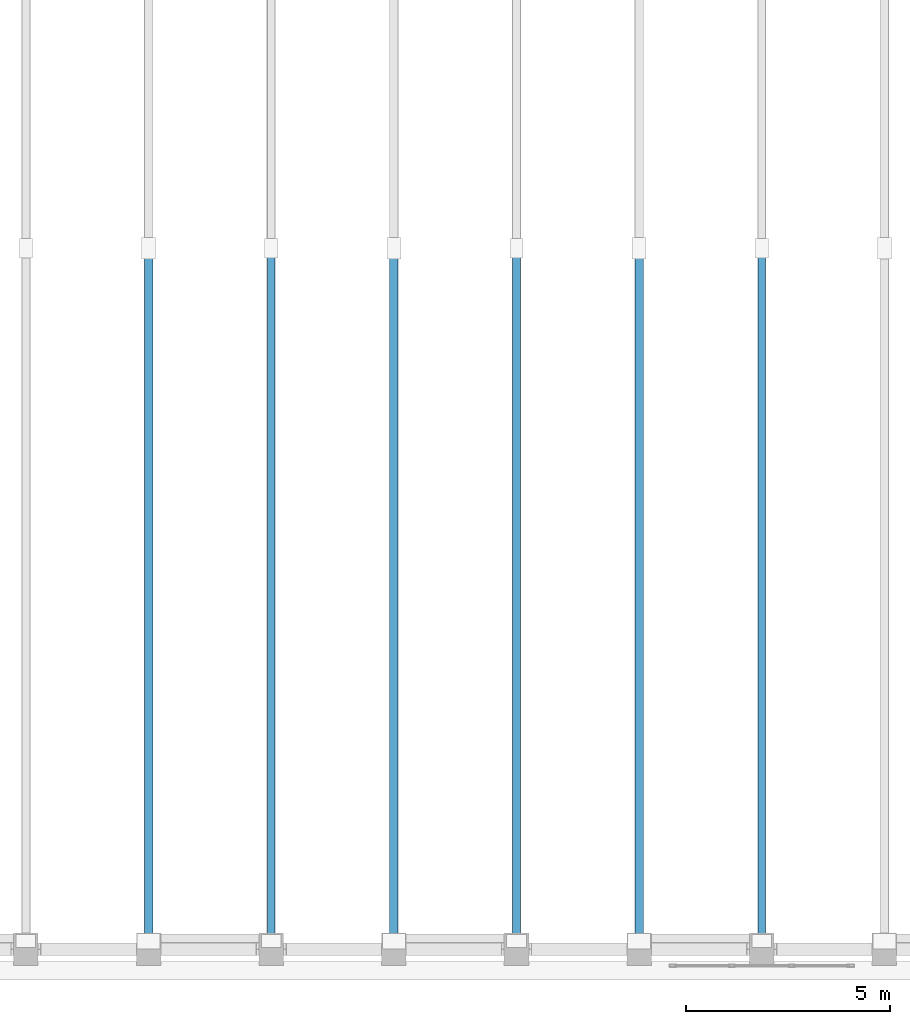
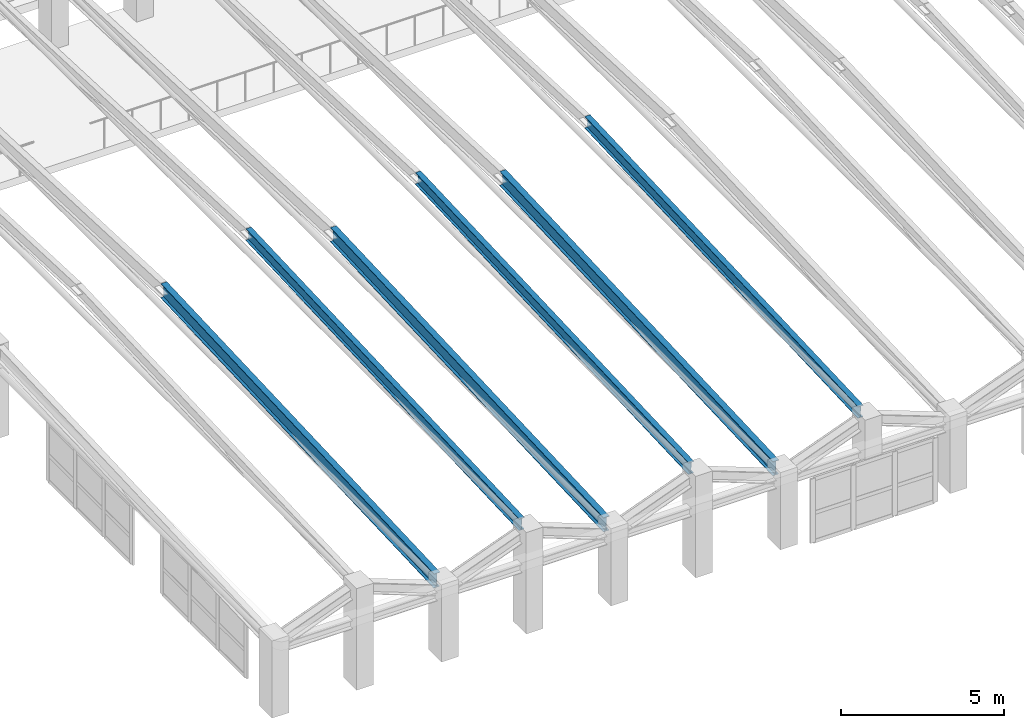
# One storey, part 24 of 128: 6 beams.
"""IFC4 building model written with IfcOpenShell, lengths in metres."""

from ifc_helpers import new_model, si_unit, direction, frame, origin, origin_2d, place, context, subcontext, project, spatial, i_section, extrude, material, material_profile, profile_set, type_object, element, save


model = new_model("IFC4")

# Units and contexts
model_context = context("Model", 3, precision=1e-05, world=origin(), true_north=direction((0.0, 1.0)))
body_context = subcontext(model_context, "Body", "Model", "MODEL_VIEW")
ifc_project = project(units=[si_unit("LENGTHUNIT", "METRE"), si_unit("AREAUNIT", "SQUARE_METRE"), si_unit("VOLUMEUNIT", "CUBIC_METRE"), si_unit("PLANEANGLEUNIT", "RADIAN"), si_unit("MASSUNIT", "GRAM", prefix="KILO")], contexts=[model_context])

# Site, building, storey
site_placement = place(None, origin())
site = spatial("IfcSite", under=ifc_project, at=site_placement, CompositionType="ELEMENT")
building_placement = place(site_placement, origin())
building = spatial("IfcBuilding", under=site, at=building_placement, Name="Keldmere Railside Commons", CompositionType="ELEMENT")
storey_placement = place(building_placement, frame((0.0, 0.0, 4.159912109375)))
storey = spatial("IfcBuildingStorey", under=building, at=storey_placement, Name="L01", CompositionType="ELEMENT", Elevation=4.159912109375)

# Beams
ifc_material = material(Name="Steel F-36 (S355)", Category="steel")
ifc_material_profile_1 = material_profile(ifc_material, i_section(OverallWidth=0.18994140625, OverallDepth=0.449951171875, WebThickness=0.009521484375, FlangeThickness=0.0146484375, at=origin_2d()), Name="IPE-450")
ifc_profile_set_1 = profile_set([ifc_material_profile_1], Name="Steel F-36 (S355)")
beam_type_1 = type_object("IfcBeamType", Name="Folded-Plate Steel Ridge Rib IPE450", PredefinedType="BEAM", material=ifc_profile_set_1)
for number, where, z_axis, x_axis, name in (
    (1, (73.0, 12.85009765625, 3.530029296875), (0.0, 0.999102933585, 0.042347704799), (-1.0, 0.0, 0.0), "FPR-1 BM-L01-2593"),
    (2, (79.0, 12.85009765625, 3.530029296875), (0.0, 0.999102933585, 0.042347704799), (-1.0, 0.0, 0.0), "FPR-1 BM-L01-2605"),
    (3, (85.0, 12.85009765625, 3.530029296875), (0.0, 0.999102933585, 0.042347704799), (-1.0, 0.0, 0.0), "FPR-1 BM-L01-2617"),
):
    element("IfcBeam", number, at=place(storey_placement, frame(where, z_axis=z_axis, x_axis=x_axis)), inside=storey, type_object=beam_type_1, Name=name, PredefinedType="BEAM", context=body_context, shape_type="SweptSolid", body=[
        extrude(i_section(OverallWidth=0.18994140625, OverallDepth=0.449951171875, WebThickness=0.009521484375, FlangeThickness=0.0146484375, at=origin_2d()), origin(), (0.0, 0.0, 1.0), 16.76513671875),
    ])
ifc_material_profile_2 = material_profile(ifc_material, i_section(OverallWidth=0.2099609375, OverallDepth=0.550048828125, WebThickness=0.010986328125, FlangeThickness=0.01708984375, at=origin_2d()), Name="IPE-550")
ifc_profile_set_2 = profile_set([ifc_material_profile_2], Name="Steel F-36 (S355)")
beam_type_2 = type_object("IfcBeamType", Name="Folded-Plate Steel Valley Rib IPE550", PredefinedType="BEAM", material=ifc_profile_set_2)
for number, where, z_axis, x_axis, name in (
    (4, (70.0, 12.85009765625, 2.47998046875), (0.0, 0.999102317345, 0.042362241155), (-1.0, 0.0, 0.0), "FPV-1 BM-L01-2587"),
    (5, (76.0, 12.85009765625, 2.47998046875), (0.0, 0.999102317345, 0.042362241155), (-1.0, 0.0, 0.0), "FPV-1 BM-L01-2599"),
    (6, (82.0, 12.85009765625, 2.47998046875), (0.0, 0.999102317345, 0.042362241155), (-1.0, 0.0, 0.0), "FPV-1 BM-L01-2611"),
):
    element("IfcBeam", number, at=place(storey_placement, frame(where, z_axis=z_axis, x_axis=x_axis)), inside=storey, type_object=beam_type_2, Name=name, PredefinedType="BEAM", context=body_context, shape_type="SweptSolid", body=[
        extrude(i_section(OverallWidth=0.2099609375, OverallDepth=0.550048828125, WebThickness=0.010986328125, FlangeThickness=0.01708984375, at=origin_2d()), origin(), (0.0, 0.0, 1.0), 16.76513671875),
    ])

save(model, "model.ifc")
